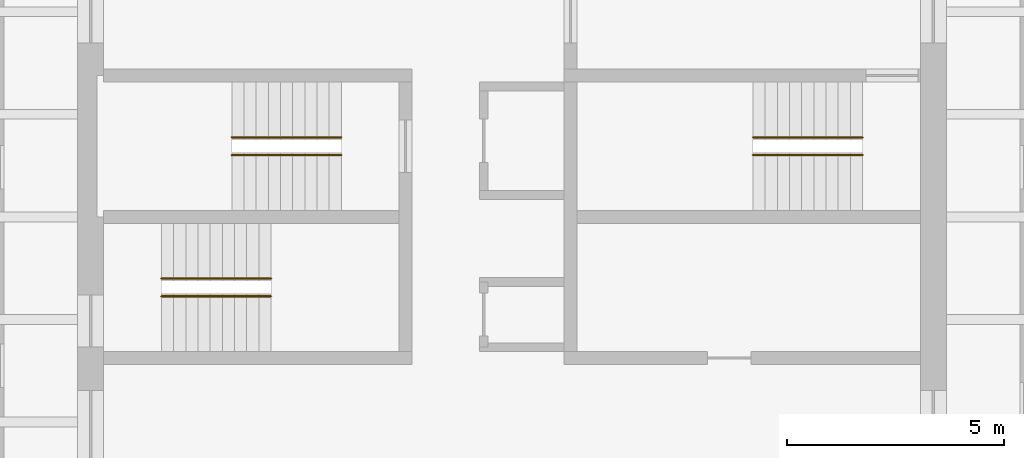
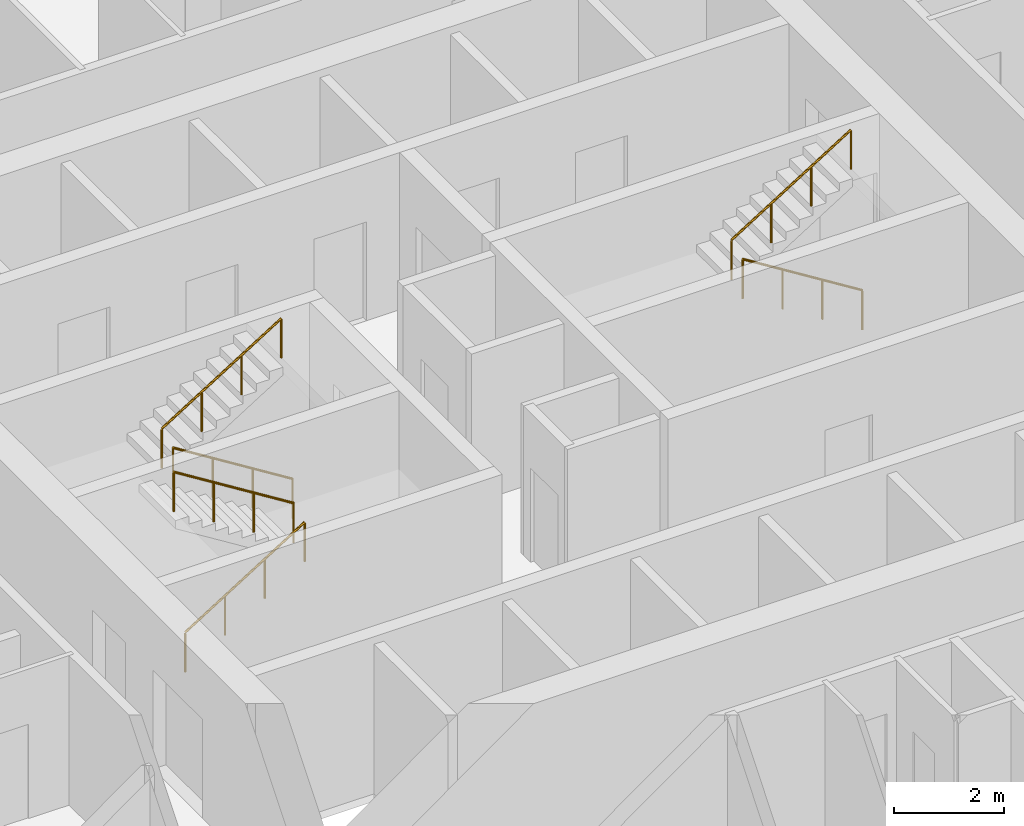
# One storey, part 10 of 10: 6 railings.
"""IFC4 building model written with IfcOpenShell, lengths in metres."""

from ifc_helpers import new_model, si_unit, direction, frame, origin, origin_2d, place, context, subcontext, project, spatial, circle, extrude, material, type_object, element, save


model = new_model("IFC4")

# Units and contexts
model_context = context("Model", 3, precision=1e-05, world=origin(), true_north=direction((0.0, 1.0)))
body_context = subcontext(model_context, "Body", "Model", "MODEL_VIEW")
ifc_project = project(units=[si_unit("LENGTHUNIT", "METRE"), si_unit("AREAUNIT", "SQUARE_METRE"), si_unit("VOLUMEUNIT", "CUBIC_METRE"), si_unit("PLANEANGLEUNIT", "RADIAN"), si_unit("MASSUNIT", "GRAM", prefix="KILO")], contexts=[model_context])

# Site, building, storey
site_placement = place(None, origin())
site = spatial("IfcSite", under=ifc_project, at=site_placement, CompositionType="ELEMENT")
building_placement = place(site_placement, origin())
building = spatial("IfcBuilding", under=site, at=building_placement, Name="Turquesa Mirador Hotel Tower", CompositionType="ELEMENT")
storey_placement = place(building_placement, frame((0.0, 0.0, 70.5)))
storey = spatial("IfcBuildingStorey", under=building, at=storey_placement, Name="L18", CompositionType="ELEMENT", Elevation=70.5)

# Railings
ifc_material = material(Name="Painted steel handrail", Category="steel")
railing_type = type_object("IfcRailingType", Name="HANDRAIL 900 STEEL", PredefinedType="HANDRAIL", material=ifc_material)
railing_1_placement = place(storey_placement, frame((51.070068359375, 46.419921875, 0.175048828125)))
element("IfcRailing", 1, at=railing_1_placement, inside=storey, type_object=railing_type, Name="Handrail ST1", PredefinedType="HANDRAIL", context=body_context, shape_type="SweptSolid", body=[
    extrude(circle(Radius=0.02392578125, at=origin_2d()), frame((0.0, 0.0, 0.8759765625), z_axis=(-0.848007534815, 0.0, 0.529984170421), x_axis=(0.0, -1.0, 0.0)), (0.0, 0.0, 1.0), 2.9716796875),
    extrude(circle(Radius=0.02099609375, at=origin_2d()), origin(), (0.0, 0.0, 1.0), 0.851806640625),
    extrude(circle(Radius=0.02099609375, at=origin_2d()), frame((-0.840087890625, 0.0, 0.52490234375)), (0.0, 0.0, 1.0), 0.851806640625),
    extrude(circle(Radius=0.02099609375, at=origin_2d()), frame((-1.679931640625, 0.0, 1.050048828125)), (0.0, 0.0, 1.0), 0.851806640625),
    extrude(circle(Radius=0.02099609375, at=origin_2d()), frame((-2.52001953125, 0.0, 1.574951171875)), (0.0, 0.0, 1.0), 0.851806640625),
])
for number, where, name in (
    (2, (48.550048828125, 46.830078125, 1.925048828125), "Handrail ST1"),
    (3, (46.929931640625, 43.169921875, 0.175048828125), "Handrail ST2"),
):
    element("IfcRailing", number, at=place(storey_placement, frame(where)), inside=storey, type_object=railing_type, Name=name, PredefinedType="HANDRAIL", context=body_context, shape_type="SweptSolid", body=[
        extrude(circle(Radius=0.02392578125, at=origin_2d()), frame((0.0, 0.0, 0.8759765625), z_axis=(0.848007534815, 0.0, 0.529984170421), x_axis=(0.0, 1.0, 0.0)), (0.0, 0.0, 1.0), 2.9716796875),
        extrude(circle(Radius=0.02099609375, at=origin_2d()), origin(), (0.0, 0.0, 1.0), 0.851806640625),
        extrude(circle(Radius=0.02099609375, at=origin_2d()), frame((0.840087890625, 0.0, 0.52490234375)), (0.0, 0.0, 1.0), 0.851806640625),
        extrude(circle(Radius=0.02099609375, at=origin_2d()), frame((1.679931640625, 0.0, 1.050048828125)), (0.0, 0.0, 1.0), 0.851806640625),
        extrude(circle(Radius=0.02099609375, at=origin_2d()), frame((2.52001953125, 0.0, 1.574951171875)), (0.0, 0.0, 1.0), 0.851806640625),
    ])
for number, where, name in (
    (4, (49.449951171875, 43.580078125, 1.925048828125), "Handrail ST2"),
    (5, (63.070068359375, 46.419921875, 0.175048828125), "Handrail ST3"),
):
    element("IfcRailing", number, at=place(storey_placement, frame(where)), inside=storey, type_object=railing_type, Name=name, PredefinedType="HANDRAIL", context=body_context, shape_type="SweptSolid", body=[
        extrude(circle(Radius=0.02392578125, at=origin_2d()), frame((0.0, 0.0, 0.8759765625), z_axis=(-0.848007534815, 0.0, 0.529984170421), x_axis=(0.0, -1.0, 0.0)), (0.0, 0.0, 1.0), 2.9716796875),
        extrude(circle(Radius=0.02099609375, at=origin_2d()), origin(), (0.0, 0.0, 1.0), 0.851806640625),
        extrude(circle(Radius=0.02099609375, at=origin_2d()), frame((-0.840087890625, 0.0, 0.52490234375)), (0.0, 0.0, 1.0), 0.851806640625),
        extrude(circle(Radius=0.02099609375, at=origin_2d()), frame((-1.679931640625, 0.0, 1.050048828125)), (0.0, 0.0, 1.0), 0.851806640625),
        extrude(circle(Radius=0.02099609375, at=origin_2d()), frame((-2.52001953125, 0.0, 1.574951171875)), (0.0, 0.0, 1.0), 0.851806640625),
    ])
railing_2_placement = place(storey_placement, frame((60.550048828125, 46.830078125, 1.925048828125)))
element("IfcRailing", 6, at=railing_2_placement, inside=storey, type_object=railing_type, Name="Handrail ST3", PredefinedType="HANDRAIL", context=body_context, shape_type="SweptSolid", body=[
    extrude(circle(Radius=0.02392578125, at=origin_2d()), frame((0.0, 0.0, 0.8759765625), z_axis=(0.848007534815, 0.0, 0.529984170421), x_axis=(0.0, 1.0, 0.0)), (0.0, 0.0, 1.0), 2.9716796875),
    extrude(circle(Radius=0.02099609375, at=origin_2d()), origin(), (0.0, 0.0, 1.0), 0.851806640625),
    extrude(circle(Radius=0.02099609375, at=origin_2d()), frame((0.840087890625, 0.0, 0.52490234375)), (0.0, 0.0, 1.0), 0.851806640625),
    extrude(circle(Radius=0.02099609375, at=origin_2d()), frame((1.679931640625, 0.0, 1.050048828125)), (0.0, 0.0, 1.0), 0.851806640625),
    extrude(circle(Radius=0.02099609375, at=origin_2d()), frame((2.52001953125, 0.0, 1.574951171875)), (0.0, 0.0, 1.0), 0.851806640625),
])

save(model, "model.ifc")
